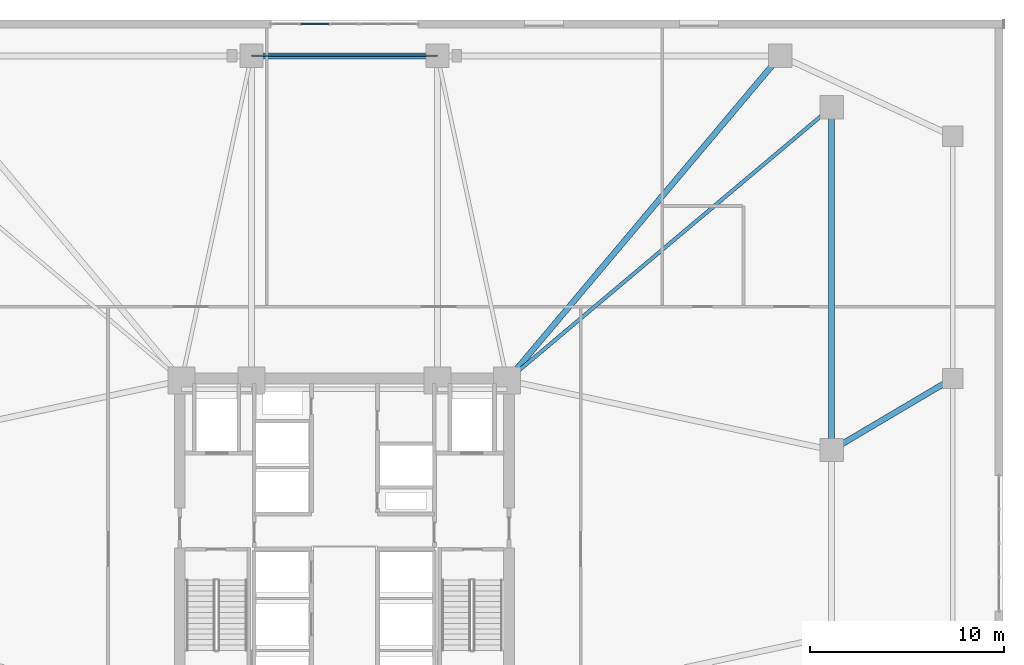
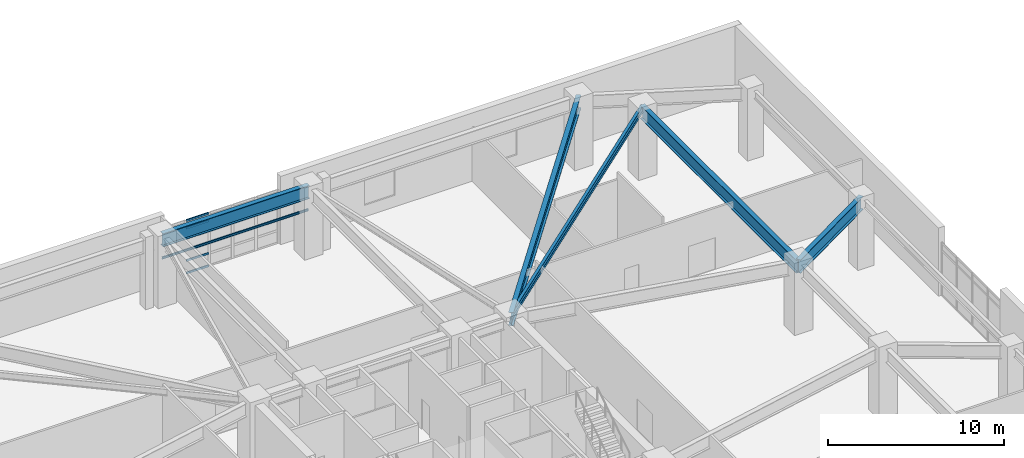
# One storey, part 7 of 20: 6 beams, 4 members, 1 element without a shape of its own.
"""IFC4 building model written with IfcOpenShell, lengths in metres."""

from ifc_helpers import new_model, si_unit, direction, frame, origin, origin_2d, place, context, subcontext, project, spatial, rectangle, i_section, extrude, material, layer, layer_set, material_profile, profile_set, type_object, element, aggregate, save


model = new_model("IFC4")

# Units and contexts
model_context = context("Model", 3, precision=1e-05, world=origin(), true_north=direction((0.0, 1.0)))
body_context = subcontext(model_context, "Body", "Model", "MODEL_VIEW")
ifc_project = project(units=[si_unit("LENGTHUNIT", "METRE"), si_unit("AREAUNIT", "SQUARE_METRE"), si_unit("VOLUMEUNIT", "CUBIC_METRE"), si_unit("PLANEANGLEUNIT", "RADIAN"), si_unit("MASSUNIT", "GRAM", prefix="KILO")], contexts=[model_context])

# Site, building, storey
site_placement = place(None, origin())
site = spatial("IfcSite", under=ifc_project, at=site_placement, CompositionType="ELEMENT")
building_placement = place(site_placement, origin())
building = spatial("IfcBuilding", under=site, at=building_placement, Name="Cairnveth Concourse Tower", CompositionType="ELEMENT")
storey_placement = place(building_placement, frame((0.0, 0.0, 5.0)))
storey = spatial("IfcBuildingStorey", under=building, at=storey_placement, Name="L01", CompositionType="ELEMENT", Elevation=5.0)

# Curtain wall, members
ifc_material_1 = material(Name="Architectural Bronze Anodised Aluminium 6063-T6", Category="aluminium")
ifc_layer = layer(ifc_material_1, 0.360107421875)
ifc_layer_set = layer_set([ifc_layer], Name="Architectural Bronze Anodised Aluminium 6063-T6")
curtain_wall_type = type_object("IfcCurtainWallType", Name="CONCOURSE GALLERIA PORTAL CURTAIN WALL", PredefinedType="USERDEFINED", material=ifc_layer_set)
curtain_wall_placement = place(storey_placement, origin())
curtain_wall = element("IfcCurtainWall", 1, at=curtain_wall_placement, inside=storey, type_object=curtain_wall_type, Name="Curtain Wall CW-L01-N1", ObjectType="UNITISED FACADE", PredefinedType="USERDEFINED")
ifc_material_profile_1 = material_profile(ifc_material_1, rectangle(XDim=0.06494140625, YDim=0.139892578125, at=origin_2d()), Name="AL-TRN-65x140")
ifc_profile_set_1 = profile_set([ifc_material_profile_1], Name="Architectural Bronze Anodised Aluminium 6063-T6")
member_type = type_object("IfcMemberType", Name="BRONZE CURTAIN WALL TRANSOM AL-TRN-65x140", PredefinedType="USERDEFINED", material=ifc_profile_set_1)
member_1_placement = place(storey_placement, frame((49.743408203125, 65.7900390625, 0.032470703125), z_axis=(1.0, 0.0, 0.0), x_axis=(0.0, 1.0, 0.0)))
member_1 = element("IfcMember", 2, at=member_1_placement, type_object=member_type, Name="CWS1 transom 2.1", ObjectType="TRANSOM", PredefinedType="USERDEFINED", context=body_context, shape_type="SweptSolid", body=[
    extrude(rectangle(XDim=0.06494140625, YDim=0.139892578125, at=origin_2d()), origin(), (0.0, 0.0, 1.0), 1.461181640625),
])
member_2_placement = place(storey_placement, frame((49.743408203125, 65.7900390625, 0.89990234375), z_axis=(1.0, 0.0, 0.0), x_axis=(0.0, 1.0, 0.0)))
member_2 = element("IfcMember", 3, at=member_2_placement, type_object=member_type, Name="CWS1 transom 2.2", ObjectType="TRANSOM", PredefinedType="USERDEFINED", context=body_context, shape_type="SweptSolid", body=[
    extrude(rectangle(XDim=0.06494140625, YDim=0.139892578125, at=origin_2d()), origin(), (0.0, 0.0, 1.0), 1.461181640625),
])
member_3_placement = place(storey_placement, frame((49.743408203125, 65.7900390625, 3.14599609375), z_axis=(1.0, 0.0, 0.0), x_axis=(0.0, 1.0, 0.0)))
member_3 = element("IfcMember", 4, at=member_3_placement, type_object=member_type, Name="CWS1 transom 2.3", ObjectType="TRANSOM", PredefinedType="USERDEFINED", context=body_context, shape_type="SweptSolid", body=[
    extrude(rectangle(XDim=0.06494140625, YDim=0.139892578125, at=origin_2d()), origin(), (0.0, 0.0, 1.0), 1.461181640625),
])
member_4_placement = place(storey_placement, frame((49.743408203125, 65.7900390625, 3.66357421875), z_axis=(1.0, 0.0, 0.0), x_axis=(0.0, 1.0, 0.0)))
member_4 = element("IfcMember", 5, at=member_4_placement, type_object=member_type, Name="CWS1 transom 2.4", ObjectType="TRANSOM", PredefinedType="USERDEFINED", context=body_context, shape_type="SweptSolid", body=[
    extrude(rectangle(XDim=0.06494140625, YDim=0.139892578125, at=origin_2d()), origin(), (0.0, 0.0, 1.0), 1.461181640625),
])
aggregate(curtain_wall, [member_1, member_2, member_3, member_4])

# Beams
ifc_material_2 = material(Name="Steel Grade 350", Category="steel")
ifc_material_profile_2 = material_profile(ifc_material_2, i_section(OverallWidth=0.18994140625, OverallDepth=0.45703125, WebThickness=0.009033203125, FlangeThickness=0.014404296875, FilletRadius=0.010986328125, at=origin_2d()), Name="460UB74.6")
ifc_profile_set_2 = profile_set([ifc_material_profile_2], Name="Steel Grade 350")
beam_type_1 = type_object("IfcBeamType", Name="PODIUM FLOOR JOIST 460UB74.6", PredefinedType="JOIST", material=ifc_profile_set_2)
beam_1_placement = place(storey_placement, frame((77.14990234375, 61.5, 4.491455078125), z_axis=(-0.765027427674, -0.643997697905, 0.0), x_axis=(0.643997697905, -0.765027427674, 0.0)))
element("IfcBeam", 6, at=beam_1_placement, inside=storey, type_object=beam_type_1, Name="Beam PJ-NE1 L01", PredefinedType="JOIST", context=body_context, shape_type="SweptSolid", body=[
    extrude(i_section(OverallWidth=0.18994140625, OverallDepth=0.45703125, WebThickness=0.009033203125, FlangeThickness=0.014404296875, FilletRadius=0.010986328125, at=origin_2d()), origin(), (0.0, 0.0, 1.0), 21.89453125),
])
ifc_material_profile_3 = material_profile(ifc_material_2, i_section(OverallWidth=0.300048828125, OverallDepth=0.924072265625, WebThickness=0.013916015625, FlangeThickness=0.031982421875, at=origin_2d()), Name="900WB257")
ifc_profile_set_3 = profile_set([ifc_material_profile_3], Name="Steel Grade 350")
beam_type_2 = type_object("IfcBeamType", Name="PODIUM PRIMARY GIRDER 900WB257", PredefinedType="BEAM", material=ifc_profile_set_3)
beam_2_placement = place(storey_placement, frame((77.14990234375, 43.800048828125, 4.258056640625), z_axis=(0.860518044459, 0.509419959523, 0.0), x_axis=(-0.509419959523, 0.860518044459, 0.0)))
element("IfcBeam", 7, at=beam_2_placement, inside=storey, type_object=beam_type_2, Name="Beam PG-E2B L01", PredefinedType="BEAM", context=body_context, shape_type="SweptSolid", body=[
    extrude(i_section(OverallWidth=0.300048828125, OverallDepth=0.924072265625, WebThickness=0.013916015625, FlangeThickness=0.031982421875, at=origin_2d()), origin(), (0.0, 0.0, 1.0), 7.26318359375),
])
beam_3_placement = place(storey_placement, frame((74.5, 64.14990234375, 4.258056640625), z_axis=(-0.643997697905, -0.765027427674, 0.0), x_axis=(0.765027427674, -0.643997697905, 0.0)))
element("IfcBeam", 8, at=beam_3_placement, inside=storey, type_object=beam_type_2, Name="Beam PG-CNE L01", PredefinedType="BEAM", context=body_context, shape_type="SweptSolid", body=[
    extrude(i_section(OverallWidth=0.300048828125, OverallDepth=0.924072265625, WebThickness=0.013916015625, FlangeThickness=0.031982421875, at=origin_2d()), origin(), (0.0, 0.0, 1.0), 21.89453125),
])
beam_4_placement = place(storey_placement, frame((47.199951171875, 64.14990234375, 4.258056640625), z_axis=(1.0, 0.0, 0.0), x_axis=(0.0, 1.0, 0.0)))
element("IfcBeam", 9, at=beam_4_placement, inside=storey, type_object=beam_type_2, Name="Beam PR-N2 L01", PredefinedType="BEAM", context=body_context, shape_type="SweptSolid", body=[
    extrude(i_section(OverallWidth=0.300048828125, OverallDepth=0.924072265625, WebThickness=0.013916015625, FlangeThickness=0.031982421875, at=origin_2d()), origin(), (0.0, 0.0, 1.0), 9.60009765625),
])
beam_5_placement = place(storey_placement, frame((77.14990234375, 43.800048828125, 4.258056640625), z_axis=(0.0, 1.0, 0.0), x_axis=(-1.0, 0.0, 0.0)))
element("IfcBeam", 10, at=beam_5_placement, inside=storey, type_object=beam_type_2, Name="Beam PR-E3 L01", PredefinedType="BEAM", context=body_context, shape_type="SweptSolid", body=[
    extrude(i_section(OverallWidth=0.300048828125, OverallDepth=0.924072265625, WebThickness=0.013916015625, FlangeThickness=0.031982421875, at=origin_2d()), origin(), (0.0, 0.0, 1.0), 17.699951171875),
])
ifc_material_profile_4 = material_profile(ifc_material_2, i_section(OverallWidth=0.074951171875, OverallDepth=0.155029296875, WebThickness=0.006103515625, FlangeThickness=0.009521484375, FilletRadius=0.008056640625, at=origin_2d()), Name="150UB18.0")
ifc_profile_set_4 = profile_set([ifc_material_profile_4], Name="Steel Grade 350")
beam_type_3 = type_object("IfcBeamType", Name="STEEL OPENING LINTEL 150UB18.0", PredefinedType="LINTEL", material=ifc_profile_set_4)
beam_6_placement = place(storey_placement, frame((47.199951171875, 64.14990234375, 2.949951171875), z_axis=(1.0, 0.0, 0.0), x_axis=(0.0, 1.0, 0.0)))
element("IfcBeam", 11, at=beam_6_placement, inside=storey, type_object=beam_type_3, Name="Concourse Portal Lintel 2 L01", PredefinedType="LINTEL", context=body_context, shape_type="SweptSolid", body=[
    extrude(i_section(OverallWidth=0.074951171875, OverallDepth=0.155029296875, WebThickness=0.006103515625, FlangeThickness=0.009521484375, FilletRadius=0.008056640625, at=origin_2d()), origin(), (0.0, 0.0, 1.0), 9.60009765625),
])

save(model, "model.ifc")
